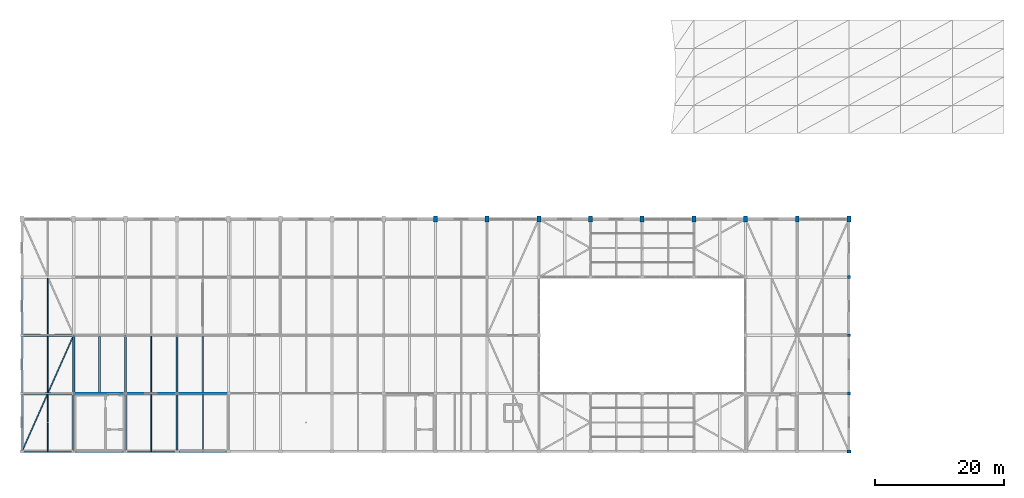
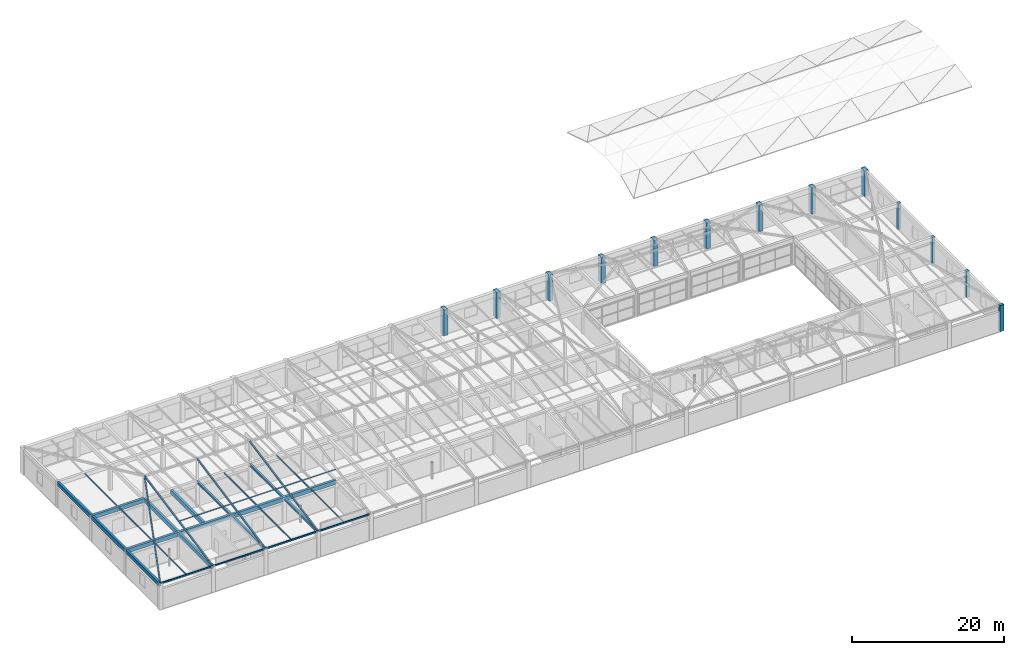
# One storey, part 9 of 65: 26 beams, 13 columns, 7 members.
"""IFC4 building model written with IfcOpenShell, lengths in metres."""

import ifcopenshell
import ifcopenshell.guid

model = None  # the IFC model being written
_history = None  # IfcOwnerHistory: only IFC2X3 demands one
_inside = {}  # id of a spatial element -> (the spatial element, [elements in it])
_under = {}  # id of a project, library or spatial element -> (it, [spatial elements below it])
_declared = {}  # id of a project -> (the project, [libraries it declares])
_typed = {}  # id of a type object -> (the type object, [elements of that type])
_made_of = {}  # id of a material, layer set ... -> (it, [elements and type objects made of it])


def new_model(schema):
    """Start an empty IFC model of exactly this schema.

    Asked for "IFC4X3", IfcOpenShell would pick the latest addendum, in which some entities
    have other attributes; the version numbers below select the first issue.
    IFC2X3 requires an IfcOwnerHistory on every rooted entity: one is made here for all.
    """
    global model, _history
    if schema == "IFC4X3":
        model = ifcopenshell.file(schema_version=(4, 3, 0, 0))
    else:
        model = ifcopenshell.file(schema=schema)
    _inside.clear()
    _under.clear()
    _declared.clear()
    _typed.clear()
    _made_of.clear()
    _history = None
    if model.schema == "IFC2X3":
        org = make("IfcOrganization", Name="unknown")
        user = make(
            "IfcPersonAndOrganization",
            ThePerson=make("IfcPerson", FamilyName="unknown"),
            TheOrganization=org,
        )
        app = make(
            "IfcApplication",
            ApplicationDeveloper=org,
            Version="unknown",
            ApplicationFullName="unknown",
            ApplicationIdentifier="unknown",
        )
        _history = make(
            "IfcOwnerHistory",
            OwningUser=user,
            OwningApplication=app,
            ChangeAction="ADDED",
            CreationDate=0,
        )
    return model


def make(cls, **values):
    """One entity of the class cls with the attributes given. An attribute that is None is left unset."""
    return model.create_entity(
        cls, **{name: value for name, value in values.items() if value is not None}
    )


def rooted(cls, **values):
    """An entity with a GlobalId (a new one), such as an element, a storey or a relation."""
    return make(cls, GlobalId=ifcopenshell.guid.new(), OwnerHistory=_history, **values)


def si_unit(unit_type, name, prefix=None):
    """IfcSIUnit, for example si_unit("LENGTHUNIT", "METRE", prefix="MILLI")."""
    return make("IfcSIUnit", UnitType=unit_type, Prefix=prefix, Name=name)


def assignment(units):
    """IfcUnitAssignment: the units of a project."""
    return None if units is None else make("IfcUnitAssignment", Units=units)


def point(xyz):
    """IfcCartesianPoint."""
    return None if xyz is None else make("IfcCartesianPoint", Coordinates=xyz)


def direction(xyz):
    """IfcDirection."""
    return None if xyz is None else make("IfcDirection", DirectionRatios=xyz)


def frame(location, z_axis=None, x_axis=None):
    """IfcAxis2Placement3D, a coordinate frame: its origin and axes. An axis left out is left unset."""
    return make(
        "IfcAxis2Placement3D",
        Location=point(location),
        Axis=direction(z_axis),
        RefDirection=direction(x_axis),
    )


def frame_2d(location, x_axis=None):
    """IfcAxis2Placement2D, a coordinate frame in the plane: its origin and x axis."""
    return make(
        "IfcAxis2Placement2D", Location=point(location), RefDirection=direction(x_axis)
    )


def origin():
    """The frame at (0, 0, 0) with its axes left unset."""
    return frame((0.0, 0.0, 0.0))


def origin_2d():
    """The frame at (0, 0) in the plane with its x axis left unset."""
    return frame_2d((0.0, 0.0))


def place(relative_to, where):
    """IfcLocalPlacement: puts the frame where relative to a parent placement (None: the world)."""
    return make(
        "IfcLocalPlacement", PlacementRelTo=relative_to, RelativePlacement=where
    )


def context(
    kind, dimensions, precision=None, world=None, true_north=None, identifier=None
):
    """IfcGeometricRepresentationContext, for example the 3D "Model" context."""
    return make(
        "IfcGeometricRepresentationContext",
        ContextIdentifier=identifier,
        ContextType=kind,
        CoordinateSpaceDimension=dimensions,
        Precision=precision,
        WorldCoordinateSystem=world,
        TrueNorth=true_north,
    )


def subcontext(parent, identifier, kind, view, scale=None):
    """IfcGeometricRepresentationSubContext, for example "Body" below "Model"."""
    return make(
        "IfcGeometricRepresentationSubContext",
        ContextIdentifier=identifier,
        ContextType=kind,
        ParentContext=parent,
        TargetScale=scale,
        TargetView=view,
    )


def project(units=None, contexts=None):
    """IfcProject with its units and contexts."""
    return rooted(
        "IfcProject",
        Name="project",
        RepresentationContexts=contexts,
        UnitsInContext=assignment(units),
    )


def spatial(cls, under=None, at=None, **own):
    """A site, building, storey or space (cls), placed at a placement, below another one or the project."""
    s = rooted(cls, ObjectPlacement=at, **own)
    if under is not None:
        _under.setdefault(under.id(), (under, []))[1].append(s)
    return s


def profile(cls, at=None, kind="AREA", **sizes):
    """A parametric profile (cls). Its sizes go by their IFC names, for example OverallWidth=200.0."""
    return make(cls, ProfileType=kind, Position=at, **sizes)


def rectangle(**sizes):
    """IfcRectangleProfileDef."""
    return profile("IfcRectangleProfileDef", **sizes)


def hollow_rectangle(**sizes):
    """IfcRectangleHollowProfileDef."""
    return profile("IfcRectangleHollowProfileDef", **sizes)


def i_section(**sizes):
    """IfcIShapeProfileDef."""
    return profile("IfcIShapeProfileDef", **sizes)


def extrude(swept, where, along, depth):
    """IfcExtrudedAreaSolid: the profile swept, set in the frame where, extruded along a direction by depth."""
    return make(
        "IfcExtrudedAreaSolid",
        SweptArea=swept,
        Position=where,
        ExtrudedDirection=direction(along),
        Depth=depth,
    )


def shape(context_of_items, identifier, shape_type, items):
    """IfcShapeRepresentation: the items that make up one representation, for example the "Body"."""
    return make(
        "IfcShapeRepresentation",
        ContextOfItems=context_of_items,
        RepresentationIdentifier=identifier,
        RepresentationType=shape_type,
        Items=items,
    )


def material(Name=None, Category=None):
    """IfcMaterial."""
    return make("IfcMaterial", Name=Name, Category=Category)


def material_profile(
    of_material, cross_section, Name=None, Category=None, Priority=None
):
    """IfcMaterialProfile: a cross section and its material."""
    return make(
        "IfcMaterialProfile",
        Name=Name,
        Material=of_material,
        Profile=cross_section,
        Priority=Priority,
        Category=Category,
    )


def profile_set(profiles, Name=None, composite=None):
    """IfcMaterialProfileSet."""
    return make(
        "IfcMaterialProfileSet",
        Name=Name,
        MaterialProfiles=profiles,
        CompositeProfile=composite,
    )


def made_of(thing, what):
    """Note that an element or type object is made of a material, layer set ...; save() writes the relation."""
    if what is not None:
        _made_of.setdefault(what.id(), (what, []))[1].append(thing)
    return thing


def type_object(cls, material=None, **own):
    """A type object (cls), such as IfcWallType, which elements share."""
    return made_of(rooted(cls, **own), material)


def element(
    cls,
    number,
    at=None,
    inside=None,
    cuts=None,
    type_object=None,
    material=None,
    context=None,
    identifier="Body",
    shape_type=None,
    held_by="IfcProductDefinitionShape",
    body=None,
    shapes=None,
    **own,
):
    """One element of the class cls, such as IfcWall. Its Tag is "e" and its number.

    at: its placement. inside: the storey or other place that contains it. cuts: it is an
    opening in that element (IfcRelVoidsElement). A single representation is given by context,
    identifier, shape_type and body (its items); several are given by shapes. held_by: the class
    of the entity that holds the representations. save() writes the other relations.
    """
    e = rooted(cls, Tag="e%d" % number, ObjectPlacement=at, **own)
    if body is not None:
        shapes = [shape(context, identifier, shape_type, body)]
    if shapes is not None:
        e.Representation = make(held_by, Representations=shapes)
    if inside is not None:
        _inside.setdefault(inside.id(), (inside, []))[1].append(e)
    if cuts is not None:
        rooted(
            "IfcRelVoidsElement", RelatingBuildingElement=cuts, RelatedOpeningElement=e
        )
    if type_object is not None:
        _typed.setdefault(type_object.id(), (type_object, []))[1].append(e)
    return made_of(e, material)


def aggregate(whole, parts):
    """IfcRelAggregates: a whole, such as a stair, and the parts it consists of."""
    return rooted("IfcRelAggregates", RelatingObject=whole, RelatedObjects=parts)


def save(model, path):
    """Write the relations noted so far, then the file.

    IfcRelAggregates (storeys below a building ...), IfcRelContainedInSpatialStructure (elements
    in a storey), IfcRelDefinesByType, IfcRelAssociatesMaterial and IfcRelDeclares: one each for
    every whole, place, type object, material and project.
    """
    for whole, parts in _under.values():
        aggregate(whole, parts)
    for where, things in _inside.values():
        rooted(
            "IfcRelContainedInSpatialStructure",
            RelatedElements=things,
            RelatingStructure=where,
        )
    for kind, things in _typed.values():
        rooted("IfcRelDefinesByType", RelatedObjects=things, RelatingType=kind)
    for what, things in _made_of.values():
        rooted("IfcRelAssociatesMaterial", RelatedObjects=things, RelatingMaterial=what)
    for by, libraries in _declared.values():
        rooted("IfcRelDeclares", RelatingContext=by, RelatedDefinitions=libraries)
    model.write(path)


model = new_model("IFC4")

# Units and contexts
model_context = context("Model", 3, precision=1e-05, world=origin(), true_north=direction((0.0, 1.0)))
body_context = subcontext(model_context, "Body", "Model", "MODEL_VIEW")
ifc_project = project(units=[si_unit("LENGTHUNIT", "METRE"), si_unit("AREAUNIT", "SQUARE_METRE"), si_unit("VOLUMEUNIT", "CUBIC_METRE"), si_unit("PLANEANGLEUNIT", "RADIAN"), si_unit("MASSUNIT", "GRAM", prefix="KILO")], contexts=[model_context])

# Site, building, storey
site_placement = place(None, origin())
site = spatial("IfcSite", under=ifc_project, at=site_placement, CompositionType="ELEMENT")
building_placement = place(site_placement, origin())
building = spatial("IfcBuilding", under=site, at=building_placement, Name="Varnabhumi Central Station", CompositionType="ELEMENT")
storey_placement = place(building_placement, frame((0.0, 0.0, 24.60009765625)))
storey = spatial("IfcBuildingStorey", under=building, at=storey_placement, Name="L05", CompositionType="ELEMENT", Elevation=24.60009765625)

# Columns
ifc_material_1 = material(Name="Concrete M40", Category="concrete")
ifc_material_profile_1 = material_profile(ifc_material_1, rectangle(XDim=0.449951171875, YDim=0.449951171875, at=origin_2d()), Name="Concrete M40", Category="concrete")
ifc_profile_set_1 = profile_set([ifc_material_profile_1], Name="Concrete M40")
column_type_1 = type_object("IfcColumnType", Name="COL-RC-450", PredefinedType="COLUMN", material=ifc_profile_set_1)
for number, where, z_axis, x_axis, name in (
    (1, (160.0, 9.0, 0.0), (0.0, 0.0, 1.0), (1.0, 0.0, 0.0), "Column L05-21B"),
    (2, (160.0, 18.0, 0.0), (0.0, 0.0, 1.0), (1.0, 0.0, 0.0), "Column L05-21C"),
    (3, (160.0, 27.0, 0.0), (0.0, 0.0, 1.0), (1.0, 0.0, 0.0), "Column L05-21D"),
):
    element("IfcColumn", number, at=place(storey_placement, frame(where, z_axis=z_axis, x_axis=x_axis)), inside=storey, type_object=column_type_1, Name=name, PredefinedType="COLUMN", context=body_context, shape_type="SweptSolid", body=[
        extrude(rectangle(XDim=0.449951171875, YDim=0.449951171875, at=origin_2d()), origin(), (0.0, 0.0, 1.0), 4.199951171875),
    ])
ifc_material_profile_2 = material_profile(ifc_material_1, rectangle(XDim=0.60009765625, YDim=0.449951171875, at=origin_2d()), Name="Concrete M40", Category="concrete")
ifc_profile_set_2 = profile_set([ifc_material_profile_2], Name="Concrete M40")
column_type_2 = type_object("IfcColumnType", Name="COL-RC-600x450", PredefinedType="PILASTER", material=ifc_profile_set_2)
column_placement = place(storey_placement, frame((160.0, 0.0, 0.0), z_axis=(0.0, 0.0, 1.0), x_axis=(1.0, 0.0, 0.0)))
element("IfcColumn", 4, at=column_placement, inside=storey, type_object=column_type_2, Name="Column L05-21A", PredefinedType="PILASTER", context=body_context, shape_type="SweptSolid", body=[
    extrude(rectangle(XDim=0.60009765625, YDim=0.449951171875, at=origin_2d()), origin(), (0.0, 0.0, 1.0), 4.199951171875),
])
ifc_material_profile_3 = material_profile(ifc_material_1, rectangle(XDim=0.60009765625, YDim=0.89990234375, at=origin_2d()), Name="Concrete M40", Category="concrete")
ifc_profile_set_3 = profile_set([ifc_material_profile_3], Name="Concrete M40")
column_type_3 = type_object("IfcColumnType", Name="COL-SPINE-M40-900x600", PredefinedType="COLUMN", material=ifc_profile_set_3)
for number, where, z_axis, x_axis, name in (
    (5, (96.0, 36.0, 0.0), (0.0, 0.0, 1.0), (1.0, 0.0, 0.0), "Column L05-13E"),
    (6, (104.0, 36.0, 0.0), (0.0, 0.0, 1.0), (1.0, 0.0, 0.0), "Column L05-14E"),
    (7, (112.0, 36.0, 0.0), (0.0, 0.0, 1.0), (1.0, 0.0, 0.0), "Column L05-15E"),
    (8, (120.0, 36.0, 0.0), (0.0, 0.0, 1.0), (1.0, 0.0, 0.0), "Column L05-16E"),
    (9, (128.0, 36.0, 0.0), (0.0, 0.0, 1.0), (1.0, 0.0, 0.0), "Column L05-17E"),
    (10, (136.0, 36.0, 0.0), (0.0, 0.0, 1.0), (1.0, 0.0, 0.0), "Column L05-18E"),
    (11, (144.0, 36.0, 0.0), (0.0, 0.0, 1.0), (1.0, 0.0, 0.0), "Column L05-19E"),
    (12, (152.0, 36.0, 0.0), (0.0, 0.0, 1.0), (1.0, 0.0, 0.0), "Column L05-20E"),
    (13, (160.0, 36.0, 0.0), (0.0, 0.0, 1.0), (1.0, 0.0, 0.0), "Column L05-21E"),
):
    element("IfcColumn", number, at=place(storey_placement, frame(where, z_axis=z_axis, x_axis=x_axis)), inside=storey, type_object=column_type_3, Name=name, PredefinedType="COLUMN", context=body_context, shape_type="SweptSolid", body=[
        extrude(rectangle(XDim=0.60009765625, YDim=0.89990234375, at=origin_2d()), origin(), (0.0, 0.0, 1.0), 4.199951171875),
    ])

# Beams
ifc_material_2 = material(Name="Structural steel E350", Category="steel")
ifc_material_profile_4 = material_profile(ifc_material_2, hollow_rectangle(XDim=0.14990234375, YDim=0.25, WallThickness=0.010009765625, InnerFilletRadius=0.010009765625, OuterFilletRadius=0.02001953125, at=origin_2d()), Name="Structural steel E350", Category="steel")
ifc_profile_set_4 = profile_set([ifc_material_profile_4], Name="Structural steel E350")
beam_type_1 = type_object("IfcBeamType", Name="BM-EDGE-RHS250", PredefinedType="SPANDREL", material=ifc_profile_set_4)
for number, where, z_axis, x_axis, name in (
    (14, (32.10009765625, 0.0, 4.074951171875), (1.0, 0.0, 0.0), (0.0, 1.0, 0.0), "Beam L05-A:5-6"),
    (15, (40.10009765625, 0.0, 4.074951171875), (1.0, 0.0, 0.0), (0.0, 1.0, 0.0), "Beam L05-A:6-7"),
    (16, (48.10009765625, 0.0, 4.074951171875), (1.0, 0.0, 0.0), (0.0, 1.0, 0.0), "Beam L05-A:7-8"),
    (17, (56.10009765625, 0.0, 4.074951171875), (1.0, 0.0, 0.0), (0.0, 1.0, 0.0), "Beam L05-A:8-9"),
):
    element("IfcBeam", number, at=place(storey_placement, frame(where, z_axis=z_axis, x_axis=x_axis)), inside=storey, type_object=beam_type_1, Name=name, PredefinedType="SPANDREL", context=body_context, shape_type="SweptSolid", body=[
        extrude(hollow_rectangle(XDim=0.14990234375, YDim=0.25, WallThickness=0.010009765625, InnerFilletRadius=0.010009765625, OuterFilletRadius=0.02001953125, at=origin_2d()), origin(), (0.0, 0.0, 1.0), 7.7998046875),
    ])
ifc_material_profile_5 = material_profile(ifc_material_1, rectangle(XDim=0.35009765625, YDim=0.60009765625, at=origin_2d()), Name="Concrete M40", Category="concrete")
ifc_profile_set_5 = profile_set([ifc_material_profile_5], Name="Concrete M40")
beam_type_2 = type_object("IfcBeamType", Name="BM-RC-350x600", PredefinedType="BEAM", material=ifc_profile_set_5)
for number, where, z_axis, x_axis, name in (
    (18, (32.0, 0.10009765625, 3.89990234375), (0.0, 1.0, 0.0), (-1.0, 0.0, 0.0), "Beam L05-5:A-B"),
    (19, (40.0, 0.10009765625, 3.89990234375), (0.0, 1.0, 0.0), (-1.0, 0.0, 0.0), "Beam L05-6:A-B"),
    (20, (32.0, 9.10009765625, 3.89990234375), (0.0, 1.0, 0.0), (-1.0, 0.0, 0.0), "Beam L05-5:B-C"),
    (21, (40.0, 9.10009765625, 3.89990234375), (0.0, 1.0, 0.0), (-1.0, 0.0, 0.0), "Beam L05-6:B-C"),
    (22, (32.0, 18.10009765625, 3.89990234375), (0.0, 1.0, 0.0), (-1.0, 0.0, 0.0), "Beam L05-5:C-D"),
):
    element("IfcBeam", number, at=place(storey_placement, frame(where, z_axis=z_axis, x_axis=x_axis)), inside=storey, type_object=beam_type_2, Name=name, PredefinedType="BEAM", context=body_context, shape_type="SweptSolid", body=[
        extrude(rectangle(XDim=0.35009765625, YDim=0.60009765625, at=origin_2d()), origin(), (0.0, 0.0, 1.0), 8.7998046875),
    ])
ifc_material_profile_6 = material_profile(ifc_material_1, rectangle(XDim=0.35009765625, YDim=0.64990234375, at=origin_2d()), Name="Concrete M40", Category="concrete")
ifc_profile_set_6 = profile_set([ifc_material_profile_6], Name="Concrete M40")
beam_type_3 = type_object("IfcBeamType", Name="BM-RC-350x650", PredefinedType="BEAM", material=ifc_profile_set_6)
for number, where, z_axis, x_axis, name in (
    (23, (32.10009765625, 9.0, 3.875), (1.0, 0.0, 0.0), (0.0, 1.0, 0.0), "Beam L05-B:5-6"),
    (24, (32.10009765625, 18.0, 3.875), (1.0, 0.0, 0.0), (0.0, 1.0, 0.0), "Beam L05-C:5-6"),
    (25, (40.10009765625, 9.0, 3.875), (1.0, 0.0, 0.0), (0.0, 1.0, 0.0), "Beam L05-B:6-7"),
    (26, (48.10009765625, 9.0, 3.875), (1.0, 0.0, 0.0), (0.0, 1.0, 0.0), "Beam L05-B:7-8"),
    (27, (56.10009765625, 9.0, 3.875), (1.0, 0.0, 0.0), (0.0, 1.0, 0.0), "Beam L05-B:8-9"),
):
    element("IfcBeam", number, at=place(storey_placement, frame(where, z_axis=z_axis, x_axis=x_axis)), inside=storey, type_object=beam_type_3, Name=name, PredefinedType="BEAM", context=body_context, shape_type="SweptSolid", body=[
        extrude(rectangle(XDim=0.35009765625, YDim=0.64990234375, at=origin_2d()), origin(), (0.0, 0.0, 1.0), 7.7998046875),
    ])
ifc_material_profile_7 = material_profile(ifc_material_1, rectangle(XDim=0.35009765625, YDim=0.60009765625, at=origin_2d()), Name="Concrete M40", Category="concrete")
ifc_profile_set_7 = profile_set([ifc_material_profile_7], Name="Concrete M40")
beam_type_4 = type_object("IfcBeamType", Name="BM-RC-600x350", PredefinedType="JOIST", material=ifc_profile_set_7)
beam_1_placement = place(storey_placement, frame((44.0, 9.175048828125, 3.89990234375), z_axis=(0.0, 1.0, 0.0), x_axis=(-1.0, 0.0, 0.0)))
element("IfcBeam", 28, at=beam_1_placement, inside=storey, type_object=beam_type_4, Name="Secondary Joist L05-6/7:B-C", PredefinedType="JOIST", context=body_context, shape_type="SweptSolid", body=[
    extrude(rectangle(XDim=0.35009765625, YDim=0.60009765625, at=origin_2d()), origin(), (0.0, 0.0, 1.0), 8.64990234375),
])
ifc_material_profile_8 = material_profile(ifc_material_2, i_section(OverallWidth=0.10009765625, OverallDepth=0.199951171875, WebThickness=0.005615234375, FlangeThickness=0.0107421875, FilletRadius=0.010986328125, at=origin_2d()), Name="Structural steel E350", Category="steel")
ifc_profile_set_8 = profile_set([ifc_material_profile_8], Name="Structural steel E350")
beam_type_5 = type_object("IfcBeamType", Name="BM-STL-ISMB200", PredefinedType="JOIST", material=ifc_profile_set_8)
for number, where, z_axis, x_axis, name in (
    (29, (36.0, 0.074951171875, 4.099853515625), (0.0, 1.0, 0.0), (-1.0, 0.0, 0.0), "Secondary Joist L05-5/6:A-B"),
    (30, (60.0, 0.074951171875, 4.099853515625), (0.0, 1.0, 0.0), (-1.0, 0.0, 0.0), "Secondary Joist L05-8/9:A-B"),
):
    element("IfcBeam", number, at=place(storey_placement, frame(where, z_axis=z_axis, x_axis=x_axis)), inside=storey, type_object=beam_type_5, Name=name, PredefinedType="JOIST", context=body_context, shape_type="SweptSolid", body=[
        extrude(i_section(OverallWidth=0.10009765625, OverallDepth=0.199951171875, WebThickness=0.005615234375, FlangeThickness=0.0107421875, FilletRadius=0.010986328125, at=origin_2d()), origin(), (0.0, 0.0, 1.0), 8.75),
    ])
for number, where, z_axis, x_axis, name in (
    (31, (36.0, 9.175048828125, 4.099853515625), (0.0, 1.0, 0.0), (-1.0, 0.0, 0.0), "Secondary Joist L05-5/6:B-C"),
    (32, (60.0, 9.175048828125, 4.099853515625), (0.0, 1.0, 0.0), (-1.0, 0.0, 0.0), "Secondary Joist L05-8/9:B-C"),
    (33, (36.0, 18.175048828125, 4.099853515625), (0.0, 1.0, 0.0), (-1.0, 0.0, 0.0), "Secondary Joist L05-5/6:C-D"),
):
    element("IfcBeam", number, at=place(storey_placement, frame(where, z_axis=z_axis, x_axis=x_axis)), inside=storey, type_object=beam_type_5, Name=name, PredefinedType="JOIST", context=body_context, shape_type="SweptSolid", body=[
        extrude(i_section(OverallWidth=0.10009765625, OverallDepth=0.199951171875, WebThickness=0.005615234375, FlangeThickness=0.0107421875, FilletRadius=0.010986328125, at=origin_2d()), origin(), (0.0, 0.0, 1.0), 8.64990234375),
    ])
ifc_material_profile_9 = material_profile(ifc_material_2, i_section(OverallWidth=0.110107421875, OverallDepth=0.22509765625, WebThickness=0.006591796875, FlangeThickness=0.01171875, FilletRadius=0.011962890625, at=origin_2d()), Name="Structural steel E350", Category="steel")
ifc_profile_set_9 = profile_set([ifc_material_profile_9], Name="Structural steel E350")
beam_type_6 = type_object("IfcBeamType", Name="BM-STL-ISMB225", PredefinedType="JOIST", material=ifc_profile_set_9)
beam_2_placement = place(storey_placement, frame((52.0, 0.074951171875, 4.08740234375), z_axis=(0.0, 1.0, 0.0), x_axis=(-1.0, 0.0, 0.0)))
element("IfcBeam", 34, at=beam_2_placement, inside=storey, type_object=beam_type_6, Name="Secondary Joist L05-7/8:A-B", PredefinedType="JOIST", context=body_context, shape_type="SweptSolid", body=[
    extrude(i_section(OverallWidth=0.110107421875, OverallDepth=0.22509765625, WebThickness=0.006591796875, FlangeThickness=0.01171875, FilletRadius=0.011962890625, at=origin_2d()), origin(), (0.0, 0.0, 1.0), 8.75),
])
beam_3_placement = place(storey_placement, frame((52.0, 9.175048828125, 4.08740234375), z_axis=(0.0, 1.0, 0.0), x_axis=(-1.0, 0.0, 0.0)))
element("IfcBeam", 35, at=beam_3_placement, inside=storey, type_object=beam_type_6, Name="Secondary Joist L05-7/8:B-C", PredefinedType="JOIST", context=body_context, shape_type="SweptSolid", body=[
    extrude(i_section(OverallWidth=0.110107421875, OverallDepth=0.22509765625, WebThickness=0.006591796875, FlangeThickness=0.01171875, FilletRadius=0.011962890625, at=origin_2d()), origin(), (0.0, 0.0, 1.0), 8.64990234375),
])
ifc_material_profile_10 = material_profile(ifc_material_2, i_section(OverallWidth=0.300048828125, OverallDepth=0.360107421875, WebThickness=0.012451171875, FlangeThickness=0.0224609375, FilletRadius=0.027099609375, at=origin_2d()), Name="Structural steel E350", Category="steel")
ifc_profile_set_10 = profile_set([ifc_material_profile_10], Name="Structural steel E350")
beam_type_7 = type_object("IfcBeamType", Name="BM-STL-WPB360", PredefinedType="BEAM", material=ifc_profile_set_10)
for number, where, z_axis, x_axis, name in (
    (36, (48.0, 0.10009765625, 4.02001953125), (0.0, 1.0, 0.0), (-1.0, 0.0, 0.0), "Beam L05-7:A-B"),
    (37, (56.0, 0.10009765625, 4.02001953125), (0.0, 1.0, 0.0), (-1.0, 0.0, 0.0), "Beam L05-8:A-B"),
    (38, (48.0, 9.10009765625, 4.02001953125), (0.0, 1.0, 0.0), (-1.0, 0.0, 0.0), "Beam L05-7:B-C"),
    (39, (56.0, 9.10009765625, 4.02001953125), (0.0, 1.0, 0.0), (-1.0, 0.0, 0.0), "Beam L05-8:B-C"),
):
    element("IfcBeam", number, at=place(storey_placement, frame(where, z_axis=z_axis, x_axis=x_axis)), inside=storey, type_object=beam_type_7, Name=name, PredefinedType="BEAM", context=body_context, shape_type="SweptSolid", body=[
        extrude(i_section(OverallWidth=0.300048828125, OverallDepth=0.360107421875, WebThickness=0.012451171875, FlangeThickness=0.0224609375, FilletRadius=0.027099609375, at=origin_2d()), origin(), (0.0, 0.0, 1.0), 8.7998046875),
    ])

# Members
ifc_material_profile_11 = material_profile(ifc_material_2, hollow_rectangle(XDim=0.074951171875, YDim=0.14990234375, WallThickness=0.006103515625, InnerFilletRadius=0.006103515625, OuterFilletRadius=0.011962890625, at=origin_2d()), Name="Structural steel E350", Category="steel")
ifc_profile_set_11 = profile_set([ifc_material_profile_11], Name="Structural steel E350")
member_type_1 = type_object("IfcMemberType", Name="MBR-PURL-RHS150", PredefinedType="PURLIN", material=ifc_profile_set_11)
for number, where, z_axis, x_axis, name in (
    (40, (40.0, 9.0, 5.824951171875), (1.0, 0.0, 0.0), (0.0, 1.0, 0.0), "Mission Roof Purlin SW6E-2-S"),
    (41, (48.0, 9.0, 5.824951171875), (1.0, 0.0, 0.0), (0.0, 1.0, 0.0), "Mission Roof Purlin SW6E-3-S"),
    (42, (56.0, 9.0, 5.824951171875), (1.0, 0.0, 0.0), (0.0, 1.0, 0.0), "Mission Roof Purlin SW6E-4-S"),
):
    element("IfcMember", number, at=place(storey_placement, frame(where, z_axis=z_axis, x_axis=x_axis)), inside=storey, type_object=member_type_1, Name=name, PredefinedType="PURLIN", context=body_context, shape_type="SweptSolid", body=[
        extrude(hollow_rectangle(XDim=0.074951171875, YDim=0.14990234375, WallThickness=0.006103515625, InnerFilletRadius=0.006103515625, OuterFilletRadius=0.011962890625, at=origin_2d()), origin(), (0.0, 0.0, 1.0), 8.0),
    ])
ifc_material_profile_12 = material_profile(ifc_material_2, hollow_rectangle(XDim=0.199951171875, YDim=0.199951171875, WallThickness=0.010009765625, InnerFilletRadius=0.010009765625, OuterFilletRadius=0.02001953125, at=origin_2d()), Name="Structural steel E350", Category="steel")
ifc_profile_set_12 = profile_set([ifc_material_profile_12], Name="Structural steel E350")
member_type_2 = type_object("IfcMemberType", Name="MBR-RAFT-SHS200", PredefinedType="RAFTER", material=ifc_profile_set_12)
member_placement = place(storey_placement, frame((32.0, 0.0, 4.10986328125), z_axis=(0.399698916942, 0.899322563119, 0.177368833961), x_axis=(-0.91381154862, 0.406138466053, 0.0)))
element("IfcMember", 43, at=member_placement, inside=storey, type_object=member_type_2, Name="Mission Roof Hip Rafter SW6E-ES", PredefinedType="RAFTER", context=body_context, shape_type="SweptSolid", body=[
    extrude(hollow_rectangle(XDim=0.199951171875, YDim=0.199951171875, WallThickness=0.010009765625, InnerFilletRadius=0.010009765625, OuterFilletRadius=0.02001953125, at=origin_2d()), origin(), (0.0, 0.0, 1.0), 20.01513671875),
])
for number, where, z_axis, x_axis, name in (
    (44, (40.0, 0.0, 4.10986328125), (0.0, 0.981100761594, 0.193497533832), (-1.0, 0.0, 0.0), "Mission Roof South Rafter SW6E-2"),
    (45, (48.0, 0.0, 4.10986328125), (0.0, 0.981100761594, 0.193497533832), (-1.0, 0.0, 0.0), "Mission Roof South Rafter SW6E-3"),
    (46, (56.0, 0.0, 4.10986328125), (0.0, 0.981100761594, 0.193497533832), (-1.0, 0.0, 0.0), "Mission Roof South Rafter SW6E-4"),
):
    element("IfcMember", number, at=place(storey_placement, frame(where, z_axis=z_axis, x_axis=x_axis)), inside=storey, type_object=member_type_2, Name=name, PredefinedType="RAFTER", context=body_context, shape_type="SweptSolid", body=[
        extrude(hollow_rectangle(XDim=0.199951171875, YDim=0.199951171875, WallThickness=0.010009765625, InnerFilletRadius=0.010009765625, OuterFilletRadius=0.02001953125, at=origin_2d()), origin(), (0.0, 0.0, 1.0), 18.3466796875),
    ])

save(model, "model.ifc")
